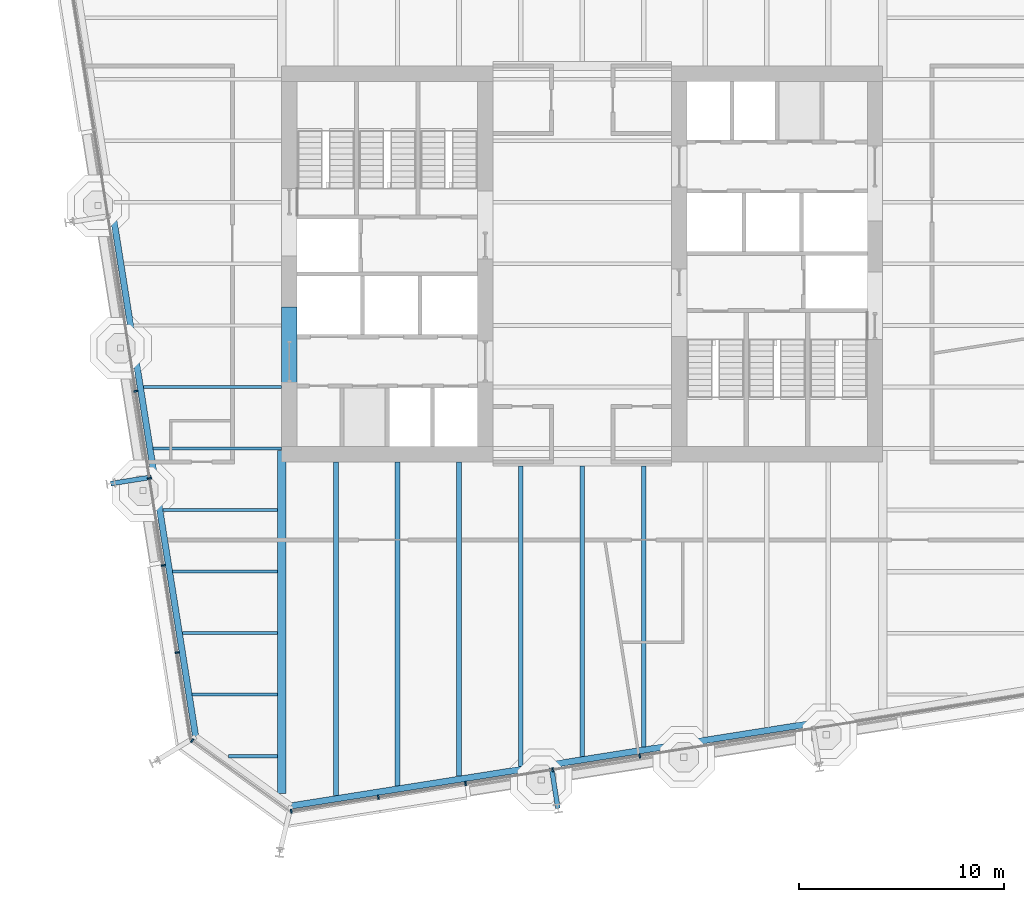
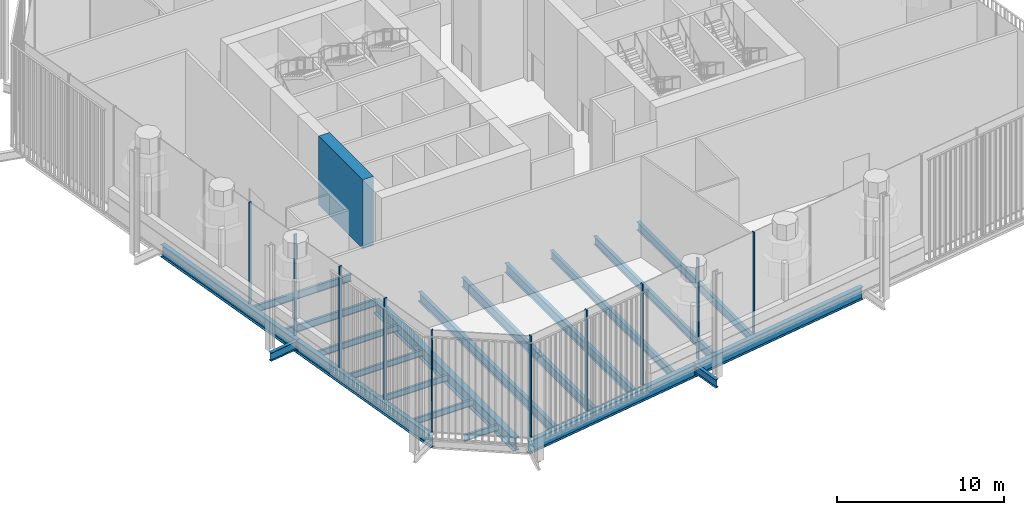
# One storey, part 2 of 19: 21 beams, 10 members, 3 elements without a shape of their own.
"""IFC4 building model written with IfcOpenShell, lengths in metres."""

from ifc_helpers import new_model, si_unit, direction, frame, origin, origin_2d, place, context, subcontext, project, spatial, rectangle, i_section, extrude, material, layer, layer_set, material_profile, profile_set, type_object, element, aggregate, save


model = new_model("IFC4")

# Units and contexts
model_context = context("Model", 3, precision=1e-05, world=origin(), true_north=direction((0.0, 1.0)))
body_context = subcontext(model_context, "Body", "Model", "MODEL_VIEW")
ifc_project = project(units=[si_unit("LENGTHUNIT", "METRE"), si_unit("AREAUNIT", "SQUARE_METRE"), si_unit("VOLUMEUNIT", "CUBIC_METRE"), si_unit("PLANEANGLEUNIT", "RADIAN"), si_unit("MASSUNIT", "GRAM", prefix="KILO")], contexts=[model_context])

# Site, building, storey
site_placement = place(None, origin())
site = spatial("IfcSite", under=ifc_project, at=site_placement, CompositionType="ELEMENT")
building_placement = place(site_placement, origin())
building = spatial("IfcBuilding", under=site, at=building_placement, Name="Millrace Tower", CompositionType="ELEMENT")
storey_placement = place(building_placement, frame((0.0, 0.0, 172.39990234375)))
storey = spatial("IfcBuildingStorey", under=building, at=storey_placement, Name="L39", CompositionType="ELEMENT", Elevation=172.39990234375)

# Curtain wall, member
ifc_material_1 = material(Name="Aluminium and glass", Category="aluminium")
ifc_layer = layer(ifc_material_1, 0.199951171875)
ifc_layer_set = layer_set([ifc_layer], Name="Aluminium and glass")
curtain_wall_type = type_object("IfcCurtainWallType", Name="CW-4 sky garden winter glazing", PredefinedType="NOTDEFINED", material=ifc_layer_set)
placement = place(storey_placement, origin())
curtain_wall_1 = element("IfcCurtainWall", 1, at=placement, inside=storey, type_object=curtain_wall_type, Name="Curtain wall C-F01 L39", PredefinedType="NOTDEFINED")
ifc_material_2 = material(Name="Aluminium", Category="aluminium")
ifc_material_profile_1 = material_profile(ifc_material_2, rectangle(XDim=0.080078125, YDim=0.199951171875, at=origin_2d()))
ifc_profile_set_1 = profile_set([ifc_material_profile_1], Name="Aluminium")
member_type = type_object("IfcMemberType", Name="CW-4 sky garden winter glazing mullion", PredefinedType="MULLION", material=ifc_profile_set_1)
member_1_placement = place(storey_placement, frame((-19.010009765625, -23.242431640625, 0.18017578125), z_axis=(0.0, 0.0, 1.0), x_axis=(0.809016981623, -0.587785269844, 0.0)))
member_1 = element("IfcMember", 2, at=member_1_placement, type_object=member_type, Name="CW4 mullion C-F01.1", PredefinedType="MULLION", context=body_context, shape_type="SweptSolid", body=[
    extrude(rectangle(XDim=0.080078125, YDim=0.199951171875, at=origin_2d()), origin(), (0.0, 0.0, 1.0), 7.419921875),
])
aggregate(curtain_wall_1, [member_1])

# Curtain wall, members
curtain_wall_2 = element("IfcCurtainWall", 3, at=placement, inside=storey, type_object=curtain_wall_type, Name="Curtain wall C-F02 L39", PredefinedType="NOTDEFINED")
member_2_placement = place(storey_placement, frame((-14.180419921875, -26.68017578125, 0.18017578125), z_axis=(0.0, 0.0, 1.0), x_axis=(0.98768833929, 0.15643447328, 0.0)))
member_2 = element("IfcMember", 4, at=member_2_placement, type_object=member_type, Name="CW4 mullion C-F02.1", PredefinedType="MULLION", context=body_context, shape_type="SweptSolid", body=[
    extrude(rectangle(XDim=0.080078125, YDim=0.199951171875, at=origin_2d()), origin(), (0.0, 0.0, 1.0), 7.419921875),
])
member_3_placement = place(storey_placement, frame((-9.933349609375, -26.007568359375, 0.18017578125), z_axis=(0.0, 0.0, 1.0), x_axis=(0.98768833929, 0.15643447328, 0.0)))
member_3 = element("IfcMember", 5, at=member_3_placement, type_object=member_type, Name="CW4 mullion C-F02.2", PredefinedType="MULLION", context=body_context, shape_type="SweptSolid", body=[
    extrude(rectangle(XDim=0.080078125, YDim=0.199951171875, at=origin_2d()), origin(), (0.0, 0.0, 1.0), 7.419921875),
])
member_4_placement = place(storey_placement, frame((-5.686279296875, -25.3349609375, 0.18017578125), z_axis=(0.0, 0.0, 1.0), x_axis=(0.98768833929, 0.15643447328, 0.0)))
member_4 = element("IfcMember", 6, at=member_4_placement, type_object=member_type, Name="CW4 mullion C-F02.3", PredefinedType="MULLION", context=body_context, shape_type="SweptSolid", body=[
    extrude(rectangle(XDim=0.080078125, YDim=0.199951171875, at=origin_2d()), origin(), (0.0, 0.0, 1.0), 7.419921875),
])
member_5_placement = place(storey_placement, frame((-1.439208984375, -24.662109375, 0.18017578125), z_axis=(0.0, 0.0, 1.0), x_axis=(0.98768833929, 0.15643447328, 0.0)))
member_5 = element("IfcMember", 7, at=member_5_placement, type_object=member_type, Name="CW4 mullion C-F02.4", PredefinedType="MULLION", context=body_context, shape_type="SweptSolid", body=[
    extrude(rectangle(XDim=0.080078125, YDim=0.199951171875, at=origin_2d()), origin(), (0.0, 0.0, 1.0), 7.419921875),
])
member_6_placement = place(storey_placement, frame((2.807861328125, -23.989501953125, 0.18017578125), z_axis=(0.0, 0.0, 1.0), x_axis=(0.98768833929, 0.15643447328, 0.0)))
member_6 = element("IfcMember", 8, at=member_6_placement, type_object=member_type, Name="CW4 mullion C-F02.5", PredefinedType="MULLION", context=body_context, shape_type="SweptSolid", body=[
    extrude(rectangle(XDim=0.080078125, YDim=0.199951171875, at=origin_2d()), origin(), (0.0, 0.0, 1.0), 7.419921875),
])
aggregate(curtain_wall_2, [member_2, member_3, member_4, member_5, member_6])

curtain_wall_3 = element("IfcCurtainWall", 9, at=placement, inside=storey, type_object=curtain_wall_type, Name="Curtain wall C-F08 L39", PredefinedType="NOTDEFINED")
member_7_placement = place(storey_placement, frame((-21.766845703125, -6.204833984375, 0.18017578125), z_axis=(0.0, 0.0, 1.0), x_axis=(0.15643447328, -0.98768833929, 0.0)))
member_7 = element("IfcMember", 10, at=member_7_placement, type_object=member_type, Name="CW4 mullion C-F08.6", PredefinedType="MULLION", context=body_context, shape_type="SweptSolid", body=[
    extrude(rectangle(XDim=0.080078125, YDim=0.199951171875, at=origin_2d()), origin(), (0.0, 0.0, 1.0), 7.419921875),
])
member_8_placement = place(storey_placement, frame((-21.09423828125, -10.451904296875, 0.18017578125), z_axis=(0.0, 0.0, 1.0), x_axis=(0.15643447328, -0.98768833929, 0.0)))
member_8 = element("IfcMember", 11, at=member_8_placement, type_object=member_type, Name="CW4 mullion C-F08.7", PredefinedType="MULLION", context=body_context, shape_type="SweptSolid", body=[
    extrude(rectangle(XDim=0.080078125, YDim=0.199951171875, at=origin_2d()), origin(), (0.0, 0.0, 1.0), 7.419921875),
])
member_9_placement = place(storey_placement, frame((-20.421630859375, -14.698974609375, 0.18017578125), z_axis=(0.0, 0.0, 1.0), x_axis=(0.15643447328, -0.98768833929, 0.0)))
member_9 = element("IfcMember", 12, at=member_9_placement, type_object=member_type, Name="CW4 mullion C-F08.8", PredefinedType="MULLION", context=body_context, shape_type="SweptSolid", body=[
    extrude(rectangle(XDim=0.080078125, YDim=0.199951171875, at=origin_2d()), origin(), (0.0, 0.0, 1.0), 7.419921875),
])
member_10_placement = place(storey_placement, frame((-19.748779296875, -18.946044921875, 0.18017578125), z_axis=(0.0, 0.0, 1.0), x_axis=(0.15643447328, -0.98768833929, 0.0)))
member_10 = element("IfcMember", 13, at=member_10_placement, type_object=member_type, Name="CW4 mullion C-F08.9", PredefinedType="MULLION", context=body_context, shape_type="SweptSolid", body=[
    extrude(rectangle(XDim=0.080078125, YDim=0.199951171875, at=origin_2d()), origin(), (0.0, 0.0, 1.0), 7.419921875),
])
aggregate(curtain_wall_3, [member_7, member_8, member_9, member_10])

# Beams
ifc_material_3 = material(Name="Concrete C70", Category="concrete")
ifc_material_profile_2 = material_profile(ifc_material_3, rectangle(XDim=0.75, YDim=5.0400390625, at=origin_2d()))
ifc_profile_set_2 = profile_set([ifc_material_profile_2], Name="Concrete C70")
beam_type_1 = type_object("IfcBeamType", Name="Coupling beam 750 x 5040 Concrete C70, 2000 opening", PredefinedType="BEAM", material=ifc_profile_set_2)
beam_1_placement = place(storey_placement, frame((-14.27490234375, -7.39599609375, 4.920166015625), z_axis=(0.0, 1.0, 0.0), x_axis=(-1.0, 0.0, 0.0)))
element("IfcBeam", 14, at=beam_1_placement, inside=storey, type_object=beam_type_1, Name="Coupling beam W L39", PredefinedType="BEAM", context=body_context, shape_type="SweptSolid", body=[
    extrude(rectangle(XDim=0.75, YDim=5.0400390625, at=origin_2d()), origin(), (0.0, 0.0, 1.0), 5.2919921875),
])
ifc_material_4 = material(Name="Steel ASTM A992 Grade 50", Category="steel")
ifc_material_profile_3 = material_profile(ifc_material_4, i_section(OverallWidth=0.15234375, OverallDepth=0.449462890625, WebThickness=0.007568359375, FlangeThickness=0.0107421875, FilletRadius=0.01025390625, at=origin_2d()))
ifc_profile_set_3 = profile_set([ifc_material_profile_3], Name="Steel ASTM A992 Grade 50")
beam_type_2 = type_object("IfcBeamType", Name="Floor beam W18x35", PredefinedType="JOIST", material=ifc_profile_set_3)
beam_2_placement = place(storey_placement, frame((-19.01123046875, -21.0, -0.474609375), z_axis=(1.0, 0.0, 0.0), x_axis=(0.0, 1.0, 0.0)))
element("IfcBeam", 15, at=beam_2_placement, inside=storey, type_object=beam_type_2, Name="BM-C-L39-S1-S002", PredefinedType="JOIST", context=body_context, shape_type="SweptSolid", body=[
    extrude(i_section(OverallWidth=0.15234375, OverallDepth=0.449462890625, WebThickness=0.007568359375, FlangeThickness=0.0107421875, FilletRadius=0.01025390625, at=origin_2d()), origin(), (0.0, 0.0, 1.0), 4.151611328125),
])
beam_3_placement = place(storey_placement, frame((-19.486328125, -18.0, -0.474609375), z_axis=(1.0, 0.0, 0.0), x_axis=(0.0, 1.0, 0.0)))
element("IfcBeam", 16, at=beam_3_placement, inside=storey, type_object=beam_type_2, Name="BM-C-L39-S1-S004", PredefinedType="JOIST", context=body_context, shape_type="SweptSolid", body=[
    extrude(i_section(OverallWidth=0.15234375, OverallDepth=0.449462890625, WebThickness=0.007568359375, FlangeThickness=0.0107421875, FilletRadius=0.01025390625, at=origin_2d()), origin(), (0.0, 0.0, 1.0), 4.626708984375),
])
beam_4_placement = place(storey_placement, frame((-19.96142578125, -15.0, -0.474609375), z_axis=(1.0, 0.0, 0.0), x_axis=(0.0, 1.0, 0.0)))
element("IfcBeam", 17, at=beam_4_placement, inside=storey, type_object=beam_type_2, Name="BM-C-L39-S1-S006", PredefinedType="JOIST", context=body_context, shape_type="SweptSolid", body=[
    extrude(i_section(OverallWidth=0.15234375, OverallDepth=0.449462890625, WebThickness=0.007568359375, FlangeThickness=0.0107421875, FilletRadius=0.01025390625, at=origin_2d()), origin(), (0.0, 0.0, 1.0), 5.101806640625),
])
beam_5_placement = place(storey_placement, frame((-20.4365234375, -12.0, -0.474609375), z_axis=(1.0, 0.0, 0.0), x_axis=(0.0, 1.0, 0.0)))
element("IfcBeam", 18, at=beam_5_placement, inside=storey, type_object=beam_type_2, Name="BM-C-L39-S1-S008", PredefinedType="JOIST", context=body_context, shape_type="SweptSolid", body=[
    extrude(i_section(OverallWidth=0.15234375, OverallDepth=0.449462890625, WebThickness=0.007568359375, FlangeThickness=0.0107421875, FilletRadius=0.01025390625, at=origin_2d()), origin(), (0.0, 0.0, 1.0), 5.576904296875),
])
beam_6_placement = place(storey_placement, frame((-17.246337890625, -24.0, -0.474609375), z_axis=(1.0, 0.0, 0.0), x_axis=(0.0, 1.0, 0.0)))
element("IfcBeam", 19, at=beam_6_placement, inside=storey, type_object=beam_type_2, Name="BM-C-L39-S1-S001", PredefinedType="JOIST", context=body_context, shape_type="SweptSolid", body=[
    extrude(i_section(OverallWidth=0.15234375, OverallDepth=0.449462890625, WebThickness=0.007568359375, FlangeThickness=0.0107421875, FilletRadius=0.01025390625, at=origin_2d()), origin(), (0.0, 0.0, 1.0), 2.38671875),
])
ifc_material_5 = material(Name="Steel ASTM A992 Grade 50", Category="steel")
ifc_material_profile_4 = material_profile(ifc_material_5, i_section(OverallWidth=0.1650390625, OverallDepth=0.52587890625, WebThickness=0.0087890625, FlangeThickness=0.011474609375, FilletRadius=0.0126953125, at=origin_2d()))
ifc_profile_set_4 = profile_set([ifc_material_profile_4], Name="Steel ASTM A992 Grade 50")
beam_type_3 = type_object("IfcBeamType", Name="Floor beam W21x44", PredefinedType="JOIST", material=ifc_profile_set_4)
beam_7_placement = place(storey_placement, frame((-20.91162109375, -9.0, -0.5126953125), z_axis=(1.0, 0.0, 0.0), x_axis=(0.0, 1.0, 0.0)))
element("IfcBeam", 20, at=beam_7_placement, inside=storey, type_object=beam_type_3, Name="BM-C-L39-S1-S011", PredefinedType="JOIST", context=body_context, shape_type="SweptSolid", body=[
    extrude(i_section(OverallWidth=0.1650390625, OverallDepth=0.52587890625, WebThickness=0.0087890625, FlangeThickness=0.011474609375, FilletRadius=0.0126953125, at=origin_2d()), origin(), (0.0, 0.0, 1.0), 6.26171875),
])
beam_8_placement = place(storey_placement, frame((-21.386962890625, -6.0, -0.5126953125), z_axis=(1.0, 0.0, 0.0), x_axis=(0.0, 1.0, 0.0)))
element("IfcBeam", 21, at=beam_8_placement, inside=storey, type_object=beam_type_3, Name="BM-C-L39-S1-S014", PredefinedType="JOIST", context=body_context, shape_type="SweptSolid", body=[
    extrude(i_section(OverallWidth=0.1650390625, OverallDepth=0.52587890625, WebThickness=0.0087890625, FlangeThickness=0.011474609375, FilletRadius=0.0126953125, at=origin_2d()), origin(), (0.0, 0.0, 1.0), 6.737060546875),
])
ifc_material_6 = material(Name="Steel ASTM A992 Grade 50", Category="steel")
ifc_material_profile_5 = material_profile(ifc_material_6, i_section(OverallWidth=0.228271484375, OverallDepth=0.607177734375, WebThickness=0.01123046875, FlangeThickness=0.017333984375, FilletRadius=0.0126953125, at=origin_2d()))
ifc_profile_set_5 = profile_set([ifc_material_profile_5], Name="Steel ASTM A992 Grade 50")
beam_type_4 = type_object("IfcBeamType", Name="Floor beam W24x76", PredefinedType="JOIST", material=ifc_profile_set_5)
beam_9_placement = place(storey_placement, frame((-3.0, -24.4970703125, -0.553466796875), z_axis=(0.0, 1.0, 0.0), x_axis=(-1.0, 0.0, 0.0)))
element("IfcBeam", 22, at=beam_9_placement, inside=storey, type_object=beam_type_4, Name="BM-C-L39-S1-S046", PredefinedType="JOIST", context=body_context, shape_type="SweptSolid", body=[
    extrude(i_section(OverallWidth=0.228271484375, OverallDepth=0.607177734375, WebThickness=0.01123046875, FlangeThickness=0.017333984375, FilletRadius=0.0126953125, at=origin_2d()), origin(), (0.0, 0.0, 1.0), 14.637451171875),
])
beam_10_placement = place(storey_placement, frame((0.0, -24.021728515625, -0.553466796875), z_axis=(0.0, 1.0, 0.0), x_axis=(-1.0, 0.0, 0.0)))
element("IfcBeam", 23, at=beam_10_placement, inside=storey, type_object=beam_type_4, Name="BM-C-L39-S1-S048", PredefinedType="JOIST", context=body_context, shape_type="SweptSolid", body=[
    extrude(i_section(OverallWidth=0.228271484375, OverallDepth=0.607177734375, WebThickness=0.01123046875, FlangeThickness=0.017333984375, FilletRadius=0.0126953125, at=origin_2d()), origin(), (0.0, 0.0, 1.0), 14.162109375),
])
beam_11_placement = place(storey_placement, frame((3.0, -23.546630859375, -0.553466796875), z_axis=(0.0, 1.0, 0.0), x_axis=(-1.0, 0.0, 0.0)))
element("IfcBeam", 24, at=beam_11_placement, inside=storey, type_object=beam_type_4, Name="BM-C-L39-S1-S050", PredefinedType="JOIST", context=body_context, shape_type="SweptSolid", body=[
    extrude(i_section(OverallWidth=0.228271484375, OverallDepth=0.607177734375, WebThickness=0.01123046875, FlangeThickness=0.017333984375, FilletRadius=0.0126953125, at=origin_2d()), origin(), (0.0, 0.0, 1.0), 13.68701171875),
])
ifc_material_7 = material(Name="Steel ASTM A992 Grade 50", Category="steel")
ifc_material_profile_6 = material_profile(ifc_material_7, i_section(OverallWidth=0.256591796875, OverallDepth=0.693359375, WebThickness=0.014404296875, FlangeThickness=0.023681640625, FilletRadius=0.01513671875, at=origin_2d()))
ifc_profile_set_6 = profile_set([ifc_material_profile_6], Name="Steel ASTM A992 Grade 50")
beam_type_5 = type_object("IfcBeamType", Name="Floor beam W27x114", PredefinedType="JOIST", material=ifc_profile_set_6)
beam_12_placement = place(storey_placement, frame((-12.0, -25.92236328125, -0.5966796875), z_axis=(0.0, 1.0, 0.0), x_axis=(-1.0, 0.0, 0.0)))
element("IfcBeam", 25, at=beam_12_placement, inside=storey, type_object=beam_type_5, Name="BM-C-L39-S1-S040", PredefinedType="JOIST", context=body_context, shape_type="SweptSolid", body=[
    extrude(i_section(OverallWidth=0.256591796875, OverallDepth=0.693359375, WebThickness=0.014404296875, FlangeThickness=0.023681640625, FilletRadius=0.01513671875, at=origin_2d()), origin(), (0.0, 0.0, 1.0), 16.2724609375),
])
beam_13_placement = place(storey_placement, frame((-9.0, -25.447265625, -0.5966796875), z_axis=(0.0, 1.0, 0.0), x_axis=(-1.0, 0.0, 0.0)))
element("IfcBeam", 26, at=beam_13_placement, inside=storey, type_object=beam_type_5, Name="BM-C-L39-S1-S042", PredefinedType="JOIST", context=body_context, shape_type="SweptSolid", body=[
    extrude(i_section(OverallWidth=0.256591796875, OverallDepth=0.693359375, WebThickness=0.014404296875, FlangeThickness=0.023681640625, FilletRadius=0.01513671875, at=origin_2d()), origin(), (0.0, 0.0, 1.0), 15.79736328125),
])
beam_14_placement = place(storey_placement, frame((-6.0, -24.97216796875, -0.5966796875), z_axis=(0.0, 1.0, 0.0), x_axis=(-1.0, 0.0, 0.0)))
element("IfcBeam", 27, at=beam_14_placement, inside=storey, type_object=beam_type_5, Name="BM-C-L39-S1-S044", PredefinedType="JOIST", context=body_context, shape_type="SweptSolid", body=[
    extrude(i_section(OverallWidth=0.256591796875, OverallDepth=0.693359375, WebThickness=0.014404296875, FlangeThickness=0.023681640625, FilletRadius=0.01513671875, at=origin_2d()), origin(), (0.0, 0.0, 1.0), 15.322265625),
])
ifc_material_8 = material(Name="Steel ASTM A992 Grade 50", Category="steel")
ifc_material_profile_7 = material_profile(ifc_material_8, i_section(OverallWidth=0.424072265625, OverallDepth=0.947509765625, WebThickness=0.02392578125, FlangeThickness=0.042724609375, FilletRadius=0.024169921875, at=origin_2d()))
ifc_profile_set_7 = profile_set([ifc_material_profile_7], Name="Steel ASTM A992 Grade 50")
beam_type_6 = type_object("IfcBeamType", Name="Girder medium span W36x302", PredefinedType="BEAM", material=ifc_profile_set_7)
beam_15_placement = place(storey_placement, frame((-14.64990234375, -25.806640625, -0.7236328125), z_axis=(0.0, 1.0, 0.0), x_axis=(-1.0, 0.0, 0.0)))
element("IfcBeam", 28, at=beam_15_placement, inside=storey, type_object=beam_type_6, Name="BM-C-L39-S1-G058", PredefinedType="BEAM", context=body_context, shape_type="SweptSolid", body=[
    extrude(i_section(OverallWidth=0.424072265625, OverallDepth=0.947509765625, WebThickness=0.02392578125, FlangeThickness=0.042724609375, FilletRadius=0.024169921875, at=origin_2d()), origin(), (0.0, 0.0, 1.0), 16.720703125),
])
ifc_material_9 = material(Name="Steel ASTM A992 Grade 50", Category="steel")
ifc_material_profile_8 = material_profile(ifc_material_9, i_section(OverallWidth=0.23046875, OverallDepth=0.6171875, WebThickness=0.01318359375, FlangeThickness=0.022216796875, FilletRadius=0.012939453125, at=origin_2d()))
ifc_profile_set_8 = profile_set([ifc_material_profile_8], Name="Steel ASTM A992 Grade 50")
beam_type_7 = type_object("IfcBeamType", Name="Link beam W24x94", PredefinedType="BEAM", material=ifc_profile_set_8)
beam_16_placement = place(storey_placement, frame((-21.001708984375, -10.396728515625, -0.55859375), z_axis=(-0.987678691416, -0.156495375404, 0.0), x_axis=(0.156495375404, -0.987678691416, 0.0)))
element("IfcBeam", 29, at=beam_16_placement, inside=storey, type_object=beam_type_7, Name="LNK-C-L39-S1-02", PredefinedType="BEAM", context=body_context, shape_type="SweptSolid", body=[
    extrude(i_section(OverallWidth=0.23046875, OverallDepth=0.6171875, WebThickness=0.01318359375, FlangeThickness=0.022216796875, FilletRadius=0.012939453125, at=origin_2d()), origin(), (0.0, 0.0, 1.0), 2.0),
])
beam_17_placement = place(storey_placement, frame((-1.494384765625, -24.569580078125, -0.55859375), z_axis=(0.156476509441, -0.987681680499, 0.0), x_axis=(0.987681680499, 0.156476509441, 0.0)))
element("IfcBeam", 30, at=beam_17_placement, inside=storey, type_object=beam_type_7, Name="LNK-C-L39-S1-15", PredefinedType="BEAM", context=body_context, shape_type="SweptSolid", body=[
    extrude(i_section(OverallWidth=0.23046875, OverallDepth=0.6171875, WebThickness=0.01318359375, FlangeThickness=0.022216796875, FilletRadius=0.012939453125, at=origin_2d()), origin(), (0.0, 0.0, 1.0), 2.000244140625),
])
ifc_material_10 = material(Name="Steel ASTM A992 Grade 50", Category="steel")
ifc_material_profile_9 = material_profile(ifc_material_10, i_section(OverallWidth=0.307373046875, OverallDepth=0.927001953125, WebThickness=0.01953125, FlangeThickness=0.031982421875, FilletRadius=0.01904296875, at=origin_2d()))
ifc_profile_set_9 = profile_set([ifc_material_profile_9], Name="Steel ASTM A992 Grade 50")
beam_type_8 = type_object("IfcBeamType", Name="Ring beam medium span W36x194", PredefinedType="SPANDREL", material=ifc_profile_set_9)
beam_18_placement = place(storey_placement, frame((-18.841796875, -23.051025390625, -0.71337890625), z_axis=(-0.156436246498, 0.987688058438, 0.0), x_axis=(-0.987688058438, -0.156436246498, 0.0)))
element("IfcBeam", 31, at=beam_18_placement, inside=storey, type_object=beam_type_8, Name="RNG-C-L39-S1-01", PredefinedType="SPANDREL", context=body_context, shape_type="SweptSolid", body=[
    extrude(i_section(OverallWidth=0.307373046875, OverallDepth=0.927001953125, WebThickness=0.01953125, FlangeThickness=0.031982421875, FilletRadius=0.01904296875, at=origin_2d()), origin(), (0.0, 0.0, 1.0), 12.836181640625),
])
beam_19_placement = place(storey_placement, frame((-20.849853515625, -10.372802734375, -0.71337890625), z_axis=(-0.156438763615, 0.987687659758, 0.0), x_axis=(-0.987687659758, -0.156438763615, 0.0)))
element("IfcBeam", 32, at=beam_19_placement, inside=storey, type_object=beam_type_8, Name="RNG-C-L39-S1-02", PredefinedType="SPANDREL", context=body_context, shape_type="SweptSolid", body=[
    extrude(i_section(OverallWidth=0.307373046875, OverallDepth=0.927001953125, WebThickness=0.01953125, FlangeThickness=0.031982421875, FilletRadius=0.01904296875, at=origin_2d()), origin(), (0.0, 0.0, 1.0), 12.900146484375),
])
beam_20_placement = place(storey_placement, frame((11.22265625, -22.39990234375, -0.71337890625), z_axis=(-0.987687196578, -0.156441687909, 0.0), x_axis=(0.156441687909, -0.987687196578, 0.0)))
element("IfcBeam", 33, at=beam_20_placement, inside=storey, type_object=beam_type_8, Name="RNG-C-L39-S1-14", PredefinedType="SPANDREL", context=body_context, shape_type="SweptSolid", body=[
    extrude(i_section(OverallWidth=0.307373046875, OverallDepth=0.927001953125, WebThickness=0.01953125, FlangeThickness=0.031982421875, FilletRadius=0.01904296875, at=origin_2d()), origin(), (0.0, 0.0, 1.0), 12.89990234375),
])
beam_21_placement = place(storey_placement, frame((-1.518310546875, -24.41796875, -0.71337890625), z_axis=(-0.987688523879, -0.15643330783, 0.0), x_axis=(0.15643330783, -0.987688523879, 0.0)))
element("IfcBeam", 34, at=beam_21_placement, inside=storey, type_object=beam_type_8, Name="RNG-C-L39-S1-15", PredefinedType="SPANDREL", context=body_context, shape_type="SweptSolid", body=[
    extrude(i_section(OverallWidth=0.307373046875, OverallDepth=0.927001953125, WebThickness=0.01953125, FlangeThickness=0.031982421875, FilletRadius=0.01904296875, at=origin_2d()), origin(), (0.0, 0.0, 1.0), 12.83642578125),
])

save(model, "model.ifc")
